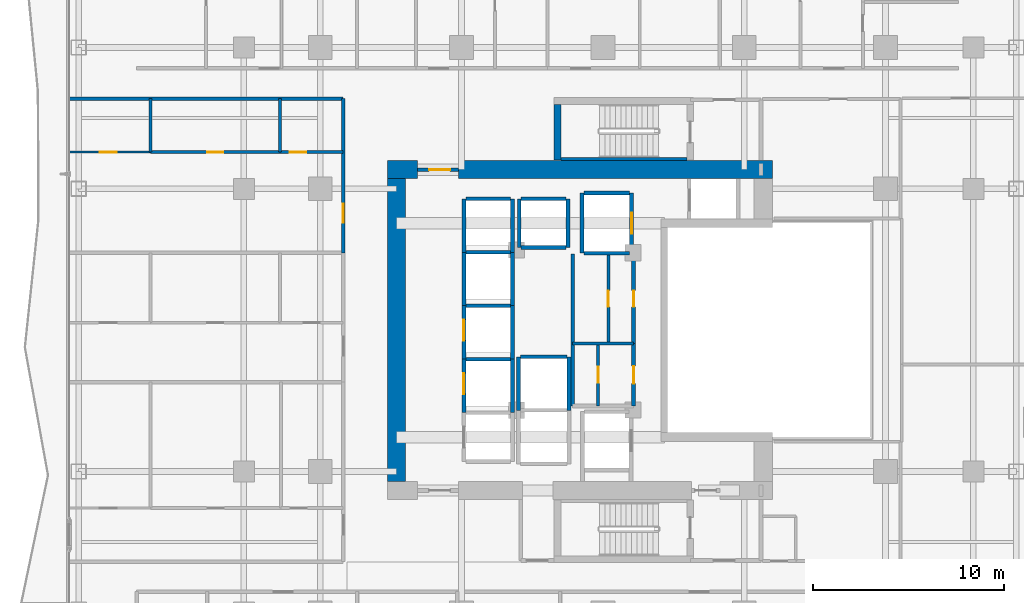
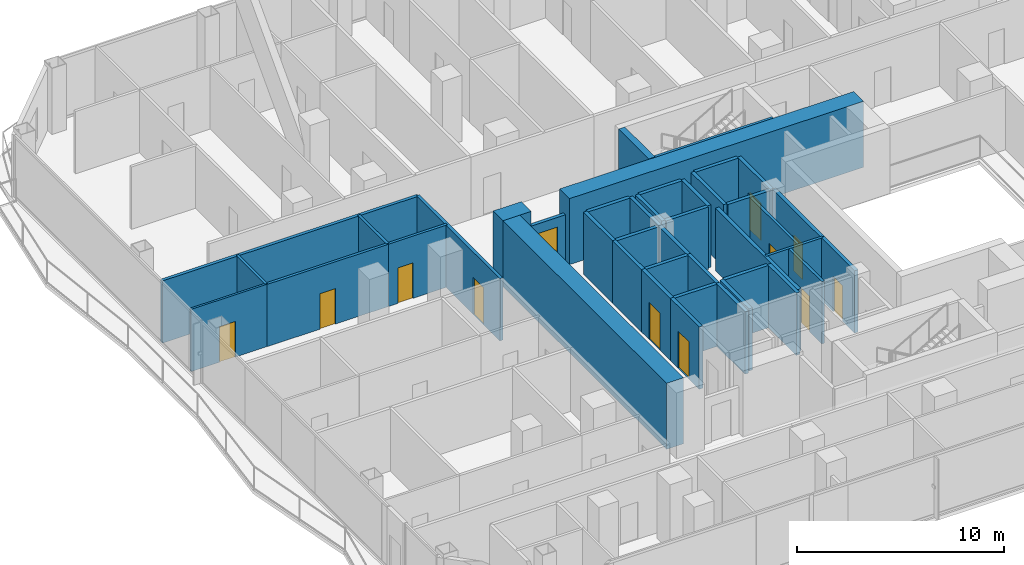
# One storey, part 20 of 28: 42 walls, 12 doors, 12 openings.
"""IFC4 building model written with IfcOpenShell, lengths in metres."""

from ifc_helpers import new_model, si_unit, direction, frame, frame_2d, origin, place, context, subcontext, project, spatial, rectangle, extrude, material, layer, layer_set, type_object, element, fill, save


model = new_model("IFC4")

# Units and contexts
model_context = context("Model", 3, precision=1e-05, world=origin(), true_north=direction((0.0, 1.0)))
body_context = subcontext(model_context, "Body", "Model", "MODEL_VIEW")
ifc_project = project(units=[si_unit("LENGTHUNIT", "METRE"), si_unit("AREAUNIT", "SQUARE_METRE"), si_unit("VOLUMEUNIT", "CUBIC_METRE"), si_unit("PLANEANGLEUNIT", "RADIAN"), si_unit("MASSUNIT", "GRAM", prefix="KILO")], contexts=[model_context])

# Site, building, storey
site_placement = place(None, origin())
site = spatial("IfcSite", under=ifc_project, at=site_placement, CompositionType="ELEMENT")
building_placement = place(site_placement, origin())
building = spatial("IfcBuilding", under=site, at=building_placement, Name="Khorvyn Point Tower", CompositionType="ELEMENT")
storey_placement = place(building_placement, frame((0.0, 0.0, 89.10009765625)))
storey = spatial("IfcBuildingStorey", under=building, at=storey_placement, Name="L22", CompositionType="ELEMENT", Elevation=89.10009765625)

# Wall, opening, door
ifc_material_1 = material(Name="Double acoustic gypsum on twin steel stud", Category="steel")
ifc_layer_1 = layer(ifc_material_1, 0.179931640625)
ifc_layer_set_1 = layer_set([ifc_layer_1], Name="Acoustic Double-Stud Apartment Demising Wall 180")
wall_type_1 = type_object("IfcWallType", Name="Acoustic Double-Stud Apartment Demising Wall 180", PredefinedType="PARTITIONING", material=ifc_layer_set_1)
wall_1_placement = place(storey_placement, frame((-13.60009765625, 4.0400390625, 0.0), z_axis=(0.0, 0.0, 1.0), x_axis=(0.0, 1.0, 0.0)))
wall_1 = element("IfcWall", 1, at=wall_1_placement, inside=storey, type_object=wall_type_1, Name="Wall", PredefinedType="PARTITIONING", context=body_context, shape_type="SweptSolid", body=[
    extrude(rectangle(XDim=8.080078125, YDim=0.179931640625, at=frame_2d((4.0400390625, 0.0))), origin(), (0.0, 0.0, 1.0), 3.679931640625),
])
opening_1_placement = place(wall_1_placement, frame((1.583251953125, 0.0, 0.0)))
opening_1 = element("IfcOpeningElement", 2, at=opening_1_placement, cuts=wall_1, Name="Opening ID-AP60", PredefinedType="OPENING", context=body_context, shape_type="SweptSolid", body=[
    extrude(rectangle(XDim=1.0, YDim=2.199951171875, at=frame_2d((0.5, 1.10009765625))), frame((0.0, 0.099853515625, 0.0), z_axis=(0.0, -1.0, 0.0), x_axis=(1.0, 0.0, 0.0)), (0.0, 0.0, 1.0), 0.199951171875),
])
ifc_material_2 = material(Name="Engineered hardwood fire-rated leaf", Category="wood")
door_type_1 = type_object("IfcDoorType", Name="Acoustic Solid-Core Timber Apartment Entrance Door 1000x2200", OperationType="NOTDEFINED", PredefinedType="DOOR", material=ifc_material_2)
door_1_placement = place(opening_1_placement, origin())
door_1 = element("IfcDoor", 3, at=door_1_placement, inside=storey, type_object=door_type_1, Name="Door", OperationType="SINGLE_SWING_RIGHT", OverallHeight=2.199951171875, OverallWidth=1.0, PredefinedType="DOOR", context=body_context, shape_type="SweptSolid", body=[
    extrude(rectangle(XDim=1.0, YDim=2.199951171875, at=frame_2d((0.5, 1.10009765625))), frame((0.0, 0.02490234375, 0.0), z_axis=(0.0, -1.0, 0.0), x_axis=(1.0, 0.0, 0.0)), (0.0, 0.0, 1.0), 0.050048828125),
])
fill(opening_1, door_1)

# Wall
wall_2_placement = place(storey_placement, frame((-27.929931640625, 12.1201171875, 0.0), z_axis=(0.0, 0.0, 1.0), x_axis=(1.0, 0.0, 0.0)))
element("IfcWall", 4, at=wall_2_placement, inside=storey, type_object=wall_type_1, Name="Wall", PredefinedType="PARTITIONING", context=body_context, shape_type="SweptSolid", body=[
    extrude(rectangle(XDim=14.329833984375, YDim=0.179931640625, at=frame_2d((7.1650390625, 0.0))), origin(), (0.0, 0.0, 1.0), 3.679931640625),
])

# Wall, opening, door
ifc_material_3 = material(Name="Concrete C40/50", Category="concrete")
ifc_layer_2 = layer(ifc_material_3, 0.199951171875)
ifc_layer_set_2 = layer_set([ifc_layer_2], Name="Concrete C40/50 Fire-Lobby Compartment Wall 200")
wall_type_2 = type_object("IfcWallType", Name="Concrete C40/50 Fire-Lobby Compartment Wall 200", PredefinedType="SOLIDWALL", material=ifc_layer_set_2)
wall_3_placement = place(storey_placement, frame((-9.699951171875, 8.39990234375, 0.0), z_axis=(0.0, 0.0, 1.0), x_axis=(1.0, 0.0, 0.0)))
wall_3 = element("IfcWall", 5, at=wall_3_placement, inside=storey, type_object=wall_type_2, Name="Wall", PredefinedType="SOLIDWALL", context=body_context, shape_type="SweptSolid", body=[
    extrude(rectangle(XDim=2.14990234375, YDim=0.199951171875, at=frame_2d((1.074951171875, 0.0))), origin(), (0.0, 0.0, 1.0), 2.719970703125),
])
opening_2_placement = place(wall_3_placement, frame((0.597900390625, 0.0, 0.0)))
opening_2 = element("IfcOpeningElement", 6, at=opening_2_placement, cuts=wall_3, Name="Opening ID-FL90", PredefinedType="OPENING", context=body_context, shape_type="SweptSolid", body=[
    extrude(rectangle(XDim=1.10009765625, YDim=2.14990234375, at=frame_2d((0.550048828125, 1.074951171875))), frame((0.0, 0.10986328125, 0.0), z_axis=(0.0, -1.0, 0.0), x_axis=(1.0, 0.0, 0.0)), (0.0, 0.0, 1.0), 0.219970703125),
])
ifc_material_4 = material(Name="Galvanised powder-coated steel", Category="steel")
door_type_2 = type_object("IfcDoorType", Name="Fire-Rated Steel Lobby and Stair Door 1100x2150", OperationType="NOTDEFINED", PredefinedType="DOOR", material=ifc_material_4)
door_2_placement = place(opening_2_placement, origin())
door_2 = element("IfcDoor", 7, at=door_2_placement, inside=storey, type_object=door_type_2, Name="Door", OperationType="SINGLE_SWING_LEFT", OverallHeight=2.14990234375, OverallWidth=1.10009765625, PredefinedType="DOOR", context=body_context, shape_type="SweptSolid", body=[
    extrude(rectangle(XDim=1.10009765625, YDim=2.14990234375, at=frame_2d((0.550048828125, 1.074951171875))), frame((0.0, 0.02490234375, 0.0), z_axis=(0.0, -1.0, 0.0), x_axis=(1.0, 0.0, 0.0)), (0.0, 0.0, 1.0), 0.050048828125),
])
fill(opening_2, door_2)

wall_4_placement = place(storey_placement, frame((1.610107421875, -3.97998046875, 0.0), z_axis=(0.0, 0.0, 1.0), x_axis=(0.0, 1.0, 0.0)))
wall_4 = element("IfcWall", 8, at=wall_4_placement, inside=storey, type_object=wall_type_2, Name="Wall", PredefinedType="SOLIDWALL", context=body_context, shape_type="SweptSolid", body=[
    extrude(rectangle(XDim=3.27392578125, YDim=0.199951171875, at=frame_2d((1.636962890625, 0.0))), origin(), (0.0, 0.0, 1.0), 3.679931640625),
])
opening_3_placement = place(wall_4_placement, frame((1.177001953125, 0.0, 0.0)))
opening_3 = element("IfcOpeningElement", 9, at=opening_3_placement, cuts=wall_4, Name="Opening ID-RS60", PredefinedType="OPENING", context=body_context, shape_type="SweptSolid", body=[
    extrude(rectangle(XDim=0.919921875, YDim=2.10009765625, at=frame_2d((0.4599609375, 1.050048828125))), frame((0.0, 0.10986328125, 0.0), z_axis=(0.0, -1.0, 0.0), x_axis=(1.0, 0.0, 0.0)), (0.0, 0.0, 1.0), 0.219970703125),
])
door_type_3 = type_object("IfcDoorType", Name="Fire-Rated Riser and Store Steel Door 920x2100", OperationType="NOTDEFINED", PredefinedType="DOOR", material=ifc_material_4)
door_3_placement = place(opening_3_placement, origin())
door_3 = element("IfcDoor", 10, at=door_3_placement, inside=storey, type_object=door_type_3, Name="Door", OperationType="SINGLE_SWING_LEFT", OverallHeight=2.10009765625, OverallWidth=0.919921875, PredefinedType="DOOR", context=body_context, shape_type="SweptSolid", body=[
    extrude(rectangle(XDim=0.919921875, YDim=2.10009765625, at=frame_2d((0.4599609375, 1.050048828125))), frame((0.0, 0.02490234375, 0.0), z_axis=(0.0, -1.0, 0.0), x_axis=(1.0, 0.0, 0.0)), (0.0, 0.0, 1.0), 0.050048828125),
])
fill(opening_3, door_3)

wall_5_placement = place(storey_placement, frame((1.610107421875, -0.7060546875, 0.0), z_axis=(0.0, 0.0, 1.0), x_axis=(0.0, 1.0, 0.0)))
wall_5 = element("IfcWall", 11, at=wall_5_placement, inside=storey, type_object=wall_type_2, Name="Wall", PredefinedType="SOLIDWALL", context=body_context, shape_type="SweptSolid", body=[
    extrude(rectangle(XDim=4.68603515625, YDim=0.199951171875, at=frame_2d((2.343017578125, 0.0))), origin(), (0.0, 0.0, 1.0), 3.679931640625),
])
opening_4_placement = place(wall_5_placement, frame((1.91796875, 0.0, 0.0)))
opening_4 = element("IfcOpeningElement", 12, at=opening_4_placement, cuts=wall_5, Name="Opening ID-WC85", PredefinedType="OPENING", context=body_context, shape_type="SweptSolid", body=[
    extrude(rectangle(XDim=0.85009765625, YDim=2.10009765625, at=frame_2d((0.425048828125, 1.050048828125))), frame((0.0, 0.10986328125, 0.0), z_axis=(0.0, -1.0, 0.0), x_axis=(1.0, 0.0, 0.0)), (0.0, 0.0, 1.0), 0.219970703125),
])
ifc_material_5 = material(Name="High-pressure laminate on moisture-resistant core", Category="wood")
door_type_4 = type_object("IfcDoorType", Name="Moisture-Resistant Accessible Washroom Door 850x2100", OperationType="NOTDEFINED", PredefinedType="DOOR", material=ifc_material_5)
door_4_placement = place(opening_4_placement, origin())
door_4 = element("IfcDoor", 13, at=door_4_placement, inside=storey, type_object=door_type_4, Name="Door", OperationType="SINGLE_SWING_RIGHT", OverallHeight=2.10009765625, OverallWidth=0.85009765625, PredefinedType="DOOR", context=body_context, shape_type="SweptSolid", body=[
    extrude(rectangle(XDim=0.85009765625, YDim=2.10009765625, at=frame_2d((0.425048828125, 1.050048828125))), frame((0.0, 0.02490234375, 0.0), z_axis=(0.0, -1.0, 0.0), x_axis=(1.0, 0.0, 0.0)), (0.0, 0.0, 1.0), 0.050048828125),
])
fill(opening_4, door_4)

# Walls
wall_6_placement = place(storey_placement, frame((-1.580078125, -3.97998046875, 0.0), z_axis=(0.0, 0.0, 1.0), x_axis=(0.0, 1.0, 0.0)))
element("IfcWall", 14, at=wall_6_placement, inside=storey, type_object=wall_type_2, Name="Wall", PredefinedType="SOLIDWALL", context=body_context, shape_type="SweptSolid", body=[
    extrude(rectangle(XDim=7.9599609375, YDim=0.199951171875, at=frame_2d((3.97998046875, 0.0))), origin(), (0.0, 0.0, 1.0), 3.679931640625),
])
ifc_layer_3 = layer(ifc_material_3, 0.25)
ifc_layer_set_3 = layer_set([ifc_layer_3], Name="Concrete C40/50 Stair Inner Cheek Structural Wall 250")
wall_type_3 = type_object("IfcWallType", Name="Concrete C40/50 Stair Inner Cheek Structural Wall 250", PredefinedType="SHEAR", material=ifc_layer_set_3)
wall_7_placement = place(storey_placement, frame((-2.199951171875, 8.949951171875, 0.0), z_axis=(0.0, 0.0, 1.0), x_axis=(1.0, 0.0, 0.0)))
element("IfcWall", 15, at=wall_7_placement, inside=storey, type_object=wall_type_3, Name="Wall", PredefinedType="SHEAR", context=body_context, shape_type="SweptSolid", body=[
    extrude(rectangle(XDim=6.599853515625, YDim=0.14990234375, at=frame_2d((3.2998046875, 0.0))), origin(), (0.0, 0.0, 1.0), 3.89990234375),
])
ifc_layer_4 = layer(ifc_material_3, 0.35009765625)
ifc_layer_set_4 = layer_set([ifc_layer_4], Name="Concrete C40/50 Stair Shaft Structural Wall 350")
wall_type_4 = type_object("IfcWallType", Name="Concrete C40/50 Stair Shaft Structural Wall 350", PredefinedType="SHEAR", material=ifc_layer_set_4)
wall_8_placement = place(storey_placement, frame((-2.3798828125, 8.89990234375, 0.0), z_axis=(0.0, 0.0, 1.0), x_axis=(0.0, 1.0, 0.0)))
element("IfcWall", 16, at=wall_8_placement, inside=storey, type_object=wall_type_4, Name="L22 ST-02 West Shaft Wall", PredefinedType="SHEAR", context=body_context, shape_type="SweptSolid", body=[
    extrude(rectangle(XDim=2.925048828125, YDim=0.35009765625, at=frame_2d((1.46240234375, 0.0))), origin(), (0.0, 0.0, 1.0), 3.89990234375),
])

# Wall, opening, door
ifc_layer_5 = layer(ifc_material_3, 0.199951171875)
ifc_layer_set_5 = layer_set([ifc_layer_5], Name="Concrete C40/50 Structural Hoistway and Stair Shaft Wall 200")
wall_type_5 = type_object("IfcWallType", Name="Concrete C40/50 Structural Hoistway and Stair Shaft Wall 200", PredefinedType="SHEAR", material=ifc_layer_set_5)
wall_9_placement = place(storey_placement, frame((-7.27490234375, -4.324951171875, 0.0), z_axis=(0.0, 0.0, 1.0), x_axis=(0.0, 1.0, 0.0)))
wall_9 = element("IfcWall", 17, at=wall_9_placement, inside=storey, type_object=wall_type_5, Name="Wall", PredefinedType="SHEAR", context=body_context, shape_type="SweptSolid", body=[
    extrude(rectangle(XDim=2.800048828125, YDim=0.199951171875, at=frame_2d((1.39990234375, 0.0))), origin(), (0.0, 0.0, 1.0), 3.679931640625),
])
opening_5_placement = place(wall_9_placement, frame((0.97509765625, 0.0, 0.0)))
opening_5 = element("IfcOpeningElement", 18, at=opening_5_placement, cuts=wall_9, Name="Opening LD-1122", PredefinedType="OPENING", context=body_context, shape_type="SweptSolid", body=[
    extrude(rectangle(XDim=1.10009765625, YDim=2.199951171875, at=frame_2d((0.550048828125, 1.10009765625))), frame((0.0, 0.10986328125, 0.0), z_axis=(0.0, -1.0, 0.0), x_axis=(1.0, 0.0, 0.0)), (0.0, 0.0, 1.0), 0.219970703125),
])
ifc_material_6 = material(Name="Stainless steel 1.4301", Category="steel")
door_type_5 = type_object("IfcDoorType", Name="Stainless Steel Automatic Sliding Lift Landing Door 1100x2200", OperationType="SLIDING_TO_LEFT", PredefinedType="DOOR", material=ifc_material_6)
door_5_placement = place(opening_5_placement, origin())
door_5 = element("IfcDoor", 19, at=door_5_placement, inside=storey, type_object=door_type_5, Name="L22 RL-02 Sliding Lift Landing Door", OperationType="SLIDING_TO_LEFT", OverallHeight=2.199951171875, OverallWidth=1.10009765625, PredefinedType="DOOR", context=body_context, shape_type="SweptSolid", body=[
    extrude(rectangle(XDim=1.10009765625, YDim=2.199951171875, at=frame_2d((0.550048828125, 1.10009765625))), frame((0.0, 0.02490234375, 0.0), z_axis=(0.0, -1.0, 0.0), x_axis=(1.0, 0.0, 0.0)), (0.0, 0.0, 1.0), 0.050048828125),
])
fill(opening_5, door_5)

# Walls
wall_10_placement = place(storey_placement, frame((-4.72509765625, -4.324951171875, 0.0), z_axis=(0.0, 0.0, 1.0), x_axis=(0.0, 1.0, 0.0)))
element("IfcWall", 20, at=wall_10_placement, inside=storey, type_object=wall_type_5, Name="Wall", PredefinedType="SHEAR", context=body_context, shape_type="SweptSolid", body=[
    extrude(rectangle(XDim=2.800048828125, YDim=0.199951171875, at=frame_2d((1.39990234375, 0.0))), origin(), (0.0, 0.0, 1.0), 3.679931640625),
])
wall_11_placement = place(storey_placement, frame((-7.175048828125, -1.52490234375, 0.0), z_axis=(0.0, 0.0, 1.0), x_axis=(1.0, 0.0, 0.0)))
element("IfcWall", 21, at=wall_11_placement, inside=storey, type_object=wall_type_5, Name="Wall", PredefinedType="SHEAR", context=body_context, shape_type="SweptSolid", body=[
    extrude(rectangle(XDim=2.35009765625, YDim=0.199951171875, at=frame_2d((1.175048828125, 0.0))), origin(), (0.0, 0.0, 1.0), 3.679931640625),
])

# Wall, opening, door
wall_12_placement = place(storey_placement, frame((-7.27490234375, -1.52490234375, 0.0), z_axis=(0.0, 0.0, 1.0), x_axis=(0.0, 1.0, 0.0)))
wall_12 = element("IfcWall", 22, at=wall_12_placement, inside=storey, type_object=wall_type_5, Name="Wall", PredefinedType="SHEAR", context=body_context, shape_type="SweptSolid", body=[
    extrude(rectangle(XDim=2.7998046875, YDim=0.199951171875, at=frame_2d((1.39990234375, 0.0))), origin(), (0.0, 0.0, 1.0), 3.679931640625),
])
opening_6_placement = place(wall_12_placement, frame((0.97509765625, 0.0, 0.0)))
opening_6 = element("IfcOpeningElement", 23, at=opening_6_placement, cuts=wall_12, Name="Opening LD-1122", PredefinedType="OPENING", context=body_context, shape_type="SweptSolid", body=[
    extrude(rectangle(XDim=1.10009765625, YDim=2.199951171875, at=frame_2d((0.550048828125, 1.10009765625))), frame((0.0, 0.10986328125, 0.0), z_axis=(0.0, -1.0, 0.0), x_axis=(1.0, 0.0, 0.0)), (0.0, 0.0, 1.0), 0.219970703125),
])
door_6_placement = place(opening_6_placement, origin())
door_6 = element("IfcDoor", 24, at=door_6_placement, inside=storey, type_object=door_type_5, Name="L22 RL-03 Sliding Lift Landing Door", OperationType="SLIDING_TO_LEFT", OverallHeight=2.199951171875, OverallWidth=1.10009765625, PredefinedType="DOOR", context=body_context, shape_type="SweptSolid", body=[
    extrude(rectangle(XDim=1.10009765625, YDim=2.199951171875, at=frame_2d((0.550048828125, 1.10009765625))), frame((0.0, 0.02490234375, 0.0), z_axis=(0.0, -1.0, 0.0), x_axis=(1.0, 0.0, 0.0)), (0.0, 0.0, 1.0), 0.050048828125),
])
fill(opening_6, door_6)

# Walls
wall_13_placement = place(storey_placement, frame((-4.72509765625, -1.52490234375, 0.0), z_axis=(0.0, 0.0, 1.0), x_axis=(0.0, 1.0, 0.0)))
element("IfcWall", 25, at=wall_13_placement, inside=storey, type_object=wall_type_5, Name="Wall", PredefinedType="SHEAR", context=body_context, shape_type="SweptSolid", body=[
    extrude(rectangle(XDim=2.7998046875, YDim=0.199951171875, at=frame_2d((1.39990234375, 0.0))), origin(), (0.0, 0.0, 1.0), 3.679931640625),
])
wall_14_placement = place(storey_placement, frame((-7.175048828125, 1.27490234375, 0.0), z_axis=(0.0, 0.0, 1.0), x_axis=(1.0, 0.0, 0.0)))
element("IfcWall", 26, at=wall_14_placement, inside=storey, type_object=wall_type_5, Name="Wall", PredefinedType="SHEAR", context=body_context, shape_type="SweptSolid", body=[
    extrude(rectangle(XDim=2.35009765625, YDim=0.199951171875, at=frame_2d((1.175048828125, 0.0))), origin(), (0.0, 0.0, 1.0), 3.679931640625),
])
for number, where, z_axis, x_axis, name in (
    (27, (-7.27490234375, 1.27490234375, 0.0), (0.0, 0.0, 1.0), (0.0, 1.0, 0.0), "Wall"),
    (28, (-4.72509765625, 1.27490234375, 0.0), (0.0, 0.0, 1.0), (0.0, 1.0, 0.0), "Wall"),
):
    element("IfcWall", number, at=place(storey_placement, frame(where, z_axis=z_axis, x_axis=x_axis)), inside=storey, type_object=wall_type_5, Name=name, PredefinedType="SHEAR", context=body_context, shape_type="SweptSolid", body=[
        extrude(rectangle(XDim=2.800048828125, YDim=0.199951171875, at=frame_2d((1.39990234375, 0.0))), origin(), (0.0, 0.0, 1.0), 3.679931640625),
    ])
wall_15_placement = place(storey_placement, frame((-7.175048828125, 4.074951171875, 0.0), z_axis=(0.0, 0.0, 1.0), x_axis=(1.0, 0.0, 0.0)))
element("IfcWall", 29, at=wall_15_placement, inside=storey, type_object=wall_type_5, Name="Wall", PredefinedType="SHEAR", context=body_context, shape_type="SweptSolid", body=[
    extrude(rectangle(XDim=2.35009765625, YDim=0.199951171875, at=frame_2d((1.175048828125, 0.0))), origin(), (0.0, 0.0, 1.0), 3.679931640625),
])
for number, where, z_axis, x_axis, name in (
    (30, (-7.27490234375, 4.074951171875, 0.0), (0.0, 0.0, 1.0), (0.0, 1.0, 0.0), "Wall"),
    (31, (-4.72509765625, 4.074951171875, 0.0), (0.0, 0.0, 1.0), (0.0, 1.0, 0.0), "Wall"),
):
    element("IfcWall", number, at=place(storey_placement, frame(where, z_axis=z_axis, x_axis=x_axis)), inside=storey, type_object=wall_type_5, Name=name, PredefinedType="SHEAR", context=body_context, shape_type="SweptSolid", body=[
        extrude(rectangle(XDim=2.800048828125, YDim=0.199951171875, at=frame_2d((1.39990234375, 0.0))), origin(), (0.0, 0.0, 1.0), 3.679931640625),
    ])
wall_16_placement = place(storey_placement, frame((-7.175048828125, 6.875, 0.0), z_axis=(0.0, 0.0, 1.0), x_axis=(1.0, 0.0, 0.0)))
element("IfcWall", 32, at=wall_16_placement, inside=storey, type_object=wall_type_5, Name="Wall", PredefinedType="SHEAR", context=body_context, shape_type="SweptSolid", body=[
    extrude(rectangle(XDim=2.35009765625, YDim=0.199951171875, at=frame_2d((1.175048828125, 0.0))), origin(), (0.0, 0.0, 1.0), 3.679931640625),
])
for number, where, z_axis, x_axis, name in (
    (33, (-4.375, 4.324951171875, 0.0), (0.0, 0.0, 1.0), (0.0, 1.0, 0.0), "Wall"),
    (34, (-1.824951171875, 4.324951171875, 0.0), (0.0, 0.0, 1.0), (0.0, 1.0, 0.0), "Wall"),
):
    element("IfcWall", number, at=place(storey_placement, frame(where, z_axis=z_axis, x_axis=x_axis)), inside=storey, type_object=wall_type_5, Name=name, PredefinedType="SHEAR", context=body_context, shape_type="SweptSolid", body=[
        extrude(rectangle(XDim=2.550048828125, YDim=0.199951171875, at=frame_2d((1.27490234375, 0.0))), origin(), (0.0, 0.0, 1.0), 3.679931640625),
    ])
for number, where, z_axis, x_axis, name in (
    (35, (-4.27490234375, 4.324951171875, 0.0), (0.0, 0.0, 1.0), (1.0, 0.0, 0.0), "Wall"),
    (36, (-4.27490234375, 6.875, 0.0), (0.0, 0.0, 1.0), (1.0, 0.0, 0.0), "Wall"),
):
    element("IfcWall", number, at=place(storey_placement, frame(where, z_axis=z_axis, x_axis=x_axis)), inside=storey, type_object=wall_type_5, Name=name, PredefinedType="SHEAR", context=body_context, shape_type="SweptSolid", body=[
        extrude(rectangle(XDim=2.349853515625, YDim=0.199951171875, at=frame_2d((1.1748046875, 0.0))), origin(), (0.0, 0.0, 1.0), 3.679931640625),
    ])
for number, where, z_axis, x_axis, name in (
    (37, (-4.425048828125, -4.199951171875, 0.0), (0.0, 0.0, 1.0), (0.0, 1.0, 0.0), "Wall"),
    (38, (-1.77490234375, -4.199951171875, 0.0), (0.0, 0.0, 1.0), (0.0, 1.0, 0.0), "Wall"),
):
    element("IfcWall", number, at=place(storey_placement, frame(where, z_axis=z_axis, x_axis=x_axis)), inside=storey, type_object=wall_type_5, Name=name, PredefinedType="SHEAR", context=body_context, shape_type="SweptSolid", body=[
        extrude(rectangle(XDim=2.800048828125, YDim=0.199951171875, at=frame_2d((1.39990234375, 0.0))), origin(), (0.0, 0.0, 1.0), 3.679931640625),
    ])
wall_17_placement = place(storey_placement, frame((-4.324951171875, -1.39990234375, 0.0), z_axis=(0.0, 0.0, 1.0), x_axis=(1.0, 0.0, 0.0)))
element("IfcWall", 39, at=wall_17_placement, inside=storey, type_object=wall_type_5, Name="Wall", PredefinedType="SHEAR", context=body_context, shape_type="SweptSolid", body=[
    extrude(rectangle(XDim=2.449951171875, YDim=0.199951171875, at=frame_2d((1.22509765625, 0.0))), origin(), (0.0, 0.0, 1.0), 3.679931640625),
])
wall_18_placement = place(storey_placement, frame((-1.10009765625, 4.02490234375, 0.0), z_axis=(0.0, 0.0, 1.0), x_axis=(0.0, 1.0, 0.0)))
element("IfcWall", 40, at=wall_18_placement, inside=storey, type_object=wall_type_5, Name="Wall", PredefinedType="SHEAR", context=body_context, shape_type="SweptSolid", body=[
    extrude(rectangle(XDim=3.150146484375, YDim=0.199951171875, at=frame_2d((1.5751953125, 0.0))), origin(), (0.0, 0.0, 1.0), 3.679931640625),
])

# Wall, opening, door
wall_19_placement = place(storey_placement, frame((1.5, 4.02490234375, 0.0), z_axis=(0.0, 0.0, 1.0), x_axis=(0.0, 1.0, 0.0)))
wall_19 = element("IfcWall", 41, at=wall_19_placement, inside=storey, type_object=wall_type_5, Name="Wall", PredefinedType="SHEAR", context=body_context, shape_type="SweptSolid", body=[
    extrude(rectangle(XDim=3.150146484375, YDim=0.199951171875, at=frame_2d((1.5751953125, 0.0))), origin(), (0.0, 0.0, 1.0), 3.679931640625),
])
opening_7_placement = place(wall_19_placement, frame((1.02490234375, 0.0, 0.0)))
opening_7 = element("IfcOpeningElement", 42, at=opening_7_placement, cuts=wall_19, Name="Opening LD-1122", PredefinedType="OPENING", context=body_context, shape_type="SweptSolid", body=[
    extrude(rectangle(XDim=1.10009765625, YDim=2.199951171875, at=frame_2d((0.550048828125, 1.10009765625))), frame((0.0, 0.10986328125, 0.0), z_axis=(0.0, -1.0, 0.0), x_axis=(1.0, 0.0, 0.0)), (0.0, 0.0, 1.0), 0.219970703125),
])
door_7_placement = place(opening_7_placement, origin())
door_7 = element("IfcDoor", 43, at=door_7_placement, inside=storey, type_object=door_type_5, Name="L22 SV-01 Sliding Lift Landing Door", OperationType="SLIDING_TO_LEFT", OverallHeight=2.199951171875, OverallWidth=1.10009765625, PredefinedType="DOOR", context=body_context, shape_type="SweptSolid", body=[
    extrude(rectangle(XDim=1.10009765625, YDim=2.199951171875, at=frame_2d((0.550048828125, 1.10009765625))), frame((0.0, 0.02490234375, 0.0), z_axis=(0.0, -1.0, 0.0), x_axis=(1.0, 0.0, 0.0)), (0.0, 0.0, 1.0), 0.050048828125),
])
fill(opening_7, door_7)

# Walls
for number, where, z_axis, x_axis, name in (
    (44, (-1.0, 4.02490234375, 0.0), (0.0, 0.0, 1.0), (1.0, 0.0, 0.0), "Wall"),
    (45, (-1.0, 7.175048828125, 0.0), (0.0, 0.0, 1.0), (1.0, 0.0, 0.0), "Wall"),
):
    element("IfcWall", number, at=place(storey_placement, frame(where, z_axis=z_axis, x_axis=x_axis)), inside=storey, type_object=wall_type_5, Name=name, PredefinedType="SHEAR", context=body_context, shape_type="SweptSolid", body=[
        extrude(rectangle(XDim=2.39990234375, YDim=0.199951171875, at=frame_2d((1.199951171875, 0.0))), origin(), (0.0, 0.0, 1.0), 3.679931640625),
    ])
ifc_material_7 = material(Name="Concrete C50/60", Category="concrete")
ifc_layer_6 = layer(ifc_material_7, 0.949951171875)
ifc_layer_set_6 = layer_set([ifc_layer_6], Name="Concrete C50/60 Core Shear Wall 950")
wall_type_6 = type_object("IfcWallType", Name="Concrete C50/60 Core Shear Wall 950", PredefinedType="SHEAR", material=ifc_layer_set_6)
wall_20_placement = place(storey_placement, frame((-11.27490234375, 8.39990234375, 0.0), z_axis=(0.0, 0.0, 1.0), x_axis=(1.0, 0.0, 0.0)))
element("IfcWall", 46, at=wall_20_placement, inside=storey, type_object=wall_type_6, Name="Wall", PredefinedType="SHEAR", context=body_context, shape_type="SweptSolid", body=[
    extrude(rectangle(XDim=1.574951171875, YDim=0.949951171875, at=frame_2d((0.78759765625, 0.0))), origin(), (0.0, 0.0, 1.0), 3.89990234375),
])
wall_21_placement = place(storey_placement, frame((-7.550048828125, 8.39990234375, 0.0), z_axis=(0.0, 0.0, 1.0), x_axis=(1.0, 0.0, 0.0)))
element("IfcWall", 47, at=wall_21_placement, inside=storey, type_object=wall_type_6, Name="Wall", PredefinedType="SHEAR", context=body_context, shape_type="SweptSolid", body=[
    extrude(rectangle(XDim=16.425048828125, YDim=0.949951171875, at=frame_2d((8.21240234375, 0.0))), origin(), (0.0, 0.0, 1.0), 3.89990234375),
])
wall_22_placement = place(storey_placement, frame((-10.800048828125, -7.925048828125, 0.0), z_axis=(0.0, 0.0, 1.0), x_axis=(0.0, 1.0, 0.0)))
element("IfcWall", 48, at=wall_22_placement, inside=storey, type_object=wall_type_6, Name="Wall", PredefinedType="SHEAR", context=body_context, shape_type="SweptSolid", body=[
    extrude(rectangle(XDim=15.85009765625, YDim=0.949951171875, at=frame_2d((7.925048828125, 0.0))), origin(), (0.0, 0.0, 1.0), 3.89990234375),
])

# Wall, opening, door
ifc_material_8 = material(Name="Gypsum plasterboard on steel stud", Category="steel")
ifc_layer_7 = layer(ifc_material_8, 0.1201171875)
ifc_layer_set_7 = layer_set([ifc_layer_7], Name="Gypsum Acoustic Stud Room Partition Wall 120")
wall_type_7 = type_object("IfcWallType", Name="Gypsum Acoustic Stud Room Partition Wall 120", PredefinedType="PARTITIONING", material=ifc_layer_set_7)
wall_23_placement = place(storey_placement, frame((-27.929931640625, 9.320068359375, 0.0), z_axis=(0.0, 0.0, 1.0), x_axis=(1.0, 0.0, 0.0)))
wall_23 = element("IfcWall", 49, at=wall_23_placement, inside=storey, type_object=wall_type_7, Name="Wall", PredefinedType="PARTITIONING", context=body_context, shape_type="SweptSolid", body=[
    extrude(rectangle(XDim=4.239990234375, YDim=0.1201171875, at=frame_2d((2.1201171875, 0.0))), origin(), (0.0, 0.0, 1.0), 3.679931640625),
])
opening_8_placement = place(wall_23_placement, frame((1.581298828125, 0.0, 0.0)))
opening_8 = element("IfcOpeningElement", 50, at=opening_8_placement, cuts=wall_23, Name="Opening ID-RM90", PredefinedType="OPENING", context=body_context, shape_type="SweptSolid", body=[
    extrude(rectangle(XDim=0.89990234375, YDim=2.10009765625, at=frame_2d((0.449951171875, 1.050048828125))), frame((0.0, 0.070068359375, 0.0), z_axis=(0.0, -1.0, 0.0), x_axis=(1.0, 0.0, 0.0)), (0.0, 0.0, 1.0), 0.14013671875),
])
ifc_material_9 = material(Name="Engineered oak veneer timber", Category="wood")
door_type_6 = type_object("IfcDoorType", Name="Flush Engineered Timber Room Door 900x2100", OperationType="NOTDEFINED", PredefinedType="DOOR", material=ifc_material_9)
door_8_placement = place(opening_8_placement, origin())
door_8 = element("IfcDoor", 51, at=door_8_placement, inside=storey, type_object=door_type_6, Name="Door", OperationType="SINGLE_SWING_LEFT", OverallHeight=2.10009765625, OverallWidth=0.89990234375, PredefinedType="DOOR", context=body_context, shape_type="SweptSolid", body=[
    extrude(rectangle(XDim=0.89990234375, YDim=2.10009765625, at=frame_2d((0.449951171875, 1.050048828125))), frame((0.0, 0.02490234375, 0.0), z_axis=(0.0, -1.0, 0.0), x_axis=(1.0, 0.0, 0.0)), (0.0, 0.0, 1.0), 0.050048828125),
])
fill(opening_8, door_8)

ifc_material_10 = material(Name="Moisture-resistant gypsum and cement board", Category="gypsum")
ifc_layer_8 = layer(ifc_material_10, 0.14990234375)
ifc_layer_set_8 = layer_set([ifc_layer_8], Name="Moisture-Resistant Wet-Room Partition Wall 150")
wall_type_8 = type_object("IfcWallType", Name="Moisture-Resistant Wet-Room Partition Wall 150", PredefinedType="PARTITIONING", material=ifc_layer_set_8)
wall_24_placement = place(storey_placement, frame((-0.25, -3.97998046875, 0.0), z_axis=(0.0, 0.0, 1.0), x_axis=(0.0, 1.0, 0.0)))
wall_24 = element("IfcWall", 52, at=wall_24_placement, inside=storey, type_object=wall_type_8, Name="Wall", PredefinedType="PARTITIONING", context=body_context, shape_type="SweptSolid", body=[
    extrude(rectangle(XDim=3.27392578125, YDim=0.14990234375, at=frame_2d((1.636962890625, 0.0))), origin(), (0.0, 0.0, 1.0), 3.679931640625),
])
opening_9_placement = place(wall_24_placement, frame((1.2119140625, 0.0, 0.0)))
opening_9 = element("IfcOpeningElement", 53, at=opening_9_placement, cuts=wall_24, Name="Opening ID-WC85", PredefinedType="OPENING", context=body_context, shape_type="SweptSolid", body=[
    extrude(rectangle(XDim=0.85009765625, YDim=2.10009765625, at=frame_2d((0.425048828125, 1.050048828125))), frame((0.0, 0.0849609375, 0.0), z_axis=(0.0, -1.0, 0.0), x_axis=(1.0, 0.0, 0.0)), (0.0, 0.0, 1.0), 0.169921875),
])
door_9_placement = place(opening_9_placement, origin())
door_9 = element("IfcDoor", 54, at=door_9_placement, inside=storey, type_object=door_type_4, Name="Door", OperationType="SINGLE_SWING_LEFT", OverallHeight=2.10009765625, OverallWidth=0.85009765625, PredefinedType="DOOR", context=body_context, shape_type="SweptSolid", body=[
    extrude(rectangle(XDim=0.85009765625, YDim=2.10009765625, at=frame_2d((0.425048828125, 1.050048828125))), frame((0.0, 0.02490234375, 0.0), z_axis=(0.0, -1.0, 0.0), x_axis=(1.0, 0.0, 0.0)), (0.0, 0.0, 1.0), 0.050048828125),
])
fill(opening_9, door_9)

wall_25_placement = place(storey_placement, frame((0.2900390625, -0.7060546875, 0.0), z_axis=(0.0, 0.0, 1.0), x_axis=(0.0, 1.0, 0.0)))
wall_25 = element("IfcWall", 55, at=wall_25_placement, inside=storey, type_object=wall_type_8, Name="Wall", PredefinedType="PARTITIONING", context=body_context, shape_type="SweptSolid", body=[
    extrude(rectangle(XDim=4.68603515625, YDim=0.14990234375, at=frame_2d((2.343017578125, 0.0))), origin(), (0.0, 0.0, 1.0), 3.679931640625),
])
opening_10_placement = place(wall_25_placement, frame((1.91796875, 0.0, 0.0)))
opening_10 = element("IfcOpeningElement", 56, at=opening_10_placement, cuts=wall_25, Name="Opening ID-WC85", PredefinedType="OPENING", context=body_context, shape_type="SweptSolid", body=[
    extrude(rectangle(XDim=0.85009765625, YDim=2.10009765625, at=frame_2d((0.425048828125, 1.050048828125))), frame((0.0, 0.0849609375, 0.0), z_axis=(0.0, -1.0, 0.0), x_axis=(1.0, 0.0, 0.0)), (0.0, 0.0, 1.0), 0.169921875),
])
door_10_placement = place(opening_10_placement, origin())
door_10 = element("IfcDoor", 57, at=door_10_placement, inside=storey, type_object=door_type_4, Name="Door", OperationType="SINGLE_SWING_RIGHT", OverallHeight=2.10009765625, OverallWidth=0.85009765625, PredefinedType="DOOR", context=body_context, shape_type="SweptSolid", body=[
    extrude(rectangle(XDim=0.85009765625, YDim=2.10009765625, at=frame_2d((0.425048828125, 1.050048828125))), frame((0.0, 0.02490234375, 0.0), z_axis=(0.0, -1.0, 0.0), x_axis=(1.0, 0.0, 0.0)), (0.0, 0.0, 1.0), 0.050048828125),
])
fill(opening_10, door_10)

wall_26_placement = place(storey_placement, frame((-23.68994140625, 9.320068359375, 0.0), z_axis=(0.0, 0.0, 1.0), x_axis=(1.0, 0.0, 0.0)))
wall_26 = element("IfcWall", 58, at=wall_26_placement, inside=storey, type_object=wall_type_8, Name="Wall", PredefinedType="PARTITIONING", context=body_context, shape_type="SweptSolid", body=[
    extrude(rectangle(XDim=6.787841796875, YDim=0.14990234375, at=frame_2d((3.39404296875, 0.0))), origin(), (0.0, 0.0, 1.0), 3.679931640625),
])
opening_11_placement = place(wall_26_placement, frame((2.968994140625, 0.0, 0.0)))
opening_11 = element("IfcOpeningElement", 59, at=opening_11_placement, cuts=wall_26, Name="Opening ID-WC85", PredefinedType="OPENING", context=body_context, shape_type="SweptSolid", body=[
    extrude(rectangle(XDim=0.85009765625, YDim=2.10009765625, at=frame_2d((0.425048828125, 1.050048828125))), frame((0.0, 0.0849609375, 0.0), z_axis=(0.0, -1.0, 0.0), x_axis=(1.0, 0.0, 0.0)), (0.0, 0.0, 1.0), 0.169921875),
])
door_11_placement = place(opening_11_placement, origin())
door_11 = element("IfcDoor", 60, at=door_11_placement, inside=storey, type_object=door_type_4, Name="Door", OperationType="SINGLE_SWING_LEFT", OverallHeight=2.10009765625, OverallWidth=0.85009765625, PredefinedType="DOOR", context=body_context, shape_type="SweptSolid", body=[
    extrude(rectangle(XDim=0.85009765625, YDim=2.10009765625, at=frame_2d((0.425048828125, 1.050048828125))), frame((0.0, 0.02490234375, 0.0), z_axis=(0.0, -1.0, 0.0), x_axis=(1.0, 0.0, 0.0)), (0.0, 0.0, 1.0), 0.050048828125),
])
fill(opening_11, door_11)

wall_27_placement = place(storey_placement, frame((-16.902099609375, 9.320068359375, 0.0), z_axis=(0.0, 0.0, 1.0), x_axis=(1.0, 0.0, 0.0)))
wall_27 = element("IfcWall", 61, at=wall_27_placement, inside=storey, type_object=wall_type_8, Name="Wall", PredefinedType="PARTITIONING", context=body_context, shape_type="SweptSolid", body=[
    extrude(rectangle(XDim=3.302001953125, YDim=0.14990234375, at=frame_2d((1.65087890625, 0.0))), origin(), (0.0, 0.0, 1.0), 3.679931640625),
])
opening_12_placement = place(wall_27_placement, frame((0.515380859375, 0.0, 0.0)))
opening_12 = element("IfcOpeningElement", 62, at=opening_12_placement, cuts=wall_27, Name="Opening ID-WC85", PredefinedType="OPENING", context=body_context, shape_type="SweptSolid", body=[
    extrude(rectangle(XDim=0.85009765625, YDim=2.10009765625, at=frame_2d((0.425048828125, 1.050048828125))), frame((0.0, 0.0849609375, 0.0), z_axis=(0.0, -1.0, 0.0), x_axis=(1.0, 0.0, 0.0)), (0.0, 0.0, 1.0), 0.169921875),
])
door_12_placement = place(opening_12_placement, origin())
door_12 = element("IfcDoor", 63, at=door_12_placement, inside=storey, type_object=door_type_4, Name="Door", OperationType="SINGLE_SWING_RIGHT", OverallHeight=2.10009765625, OverallWidth=0.85009765625, PredefinedType="DOOR", context=body_context, shape_type="SweptSolid", body=[
    extrude(rectangle(XDim=0.85009765625, YDim=2.10009765625, at=frame_2d((0.425048828125, 1.050048828125))), frame((0.0, 0.02490234375, 0.0), z_axis=(0.0, -1.0, 0.0), x_axis=(1.0, 0.0, 0.0)), (0.0, 0.0, 1.0), 0.050048828125),
])
fill(opening_12, door_12)

# Walls
wall_28_placement = place(storey_placement, frame((-1.580078125, -0.7060546875, 0.0), z_axis=(0.0, 0.0, 1.0), x_axis=(1.0, 0.0, 0.0)))
element("IfcWall", 64, at=wall_28_placement, inside=storey, type_object=wall_type_8, Name="Wall", PredefinedType="PARTITIONING", context=body_context, shape_type="SweptSolid", body=[
    extrude(rectangle(XDim=3.190185546875, YDim=0.14990234375, at=frame_2d((1.59521484375, 0.0))), origin(), (0.0, 0.0, 1.0), 3.679931640625),
])
for number, where, z_axis, x_axis, name in (
    (65, (-16.902099609375, 9.320068359375, 0.0), (0.0, 0.0, 1.0), (0.0, 1.0, 0.0), "Wall"),
    (66, (-23.68994140625, 9.320068359375, 0.0), (0.0, 0.0, 1.0), (0.0, 1.0, 0.0), "Wall"),
):
    element("IfcWall", number, at=place(storey_placement, frame(where, z_axis=z_axis, x_axis=x_axis)), inside=storey, type_object=wall_type_8, Name=name, PredefinedType="PARTITIONING", context=body_context, shape_type="SweptSolid", body=[
        extrude(rectangle(XDim=2.800048828125, YDim=0.14990234375, at=frame_2d((1.39990234375, 0.0))), origin(), (0.0, 0.0, 1.0), 3.679931640625),
    ])

save(model, "model.ifc")
